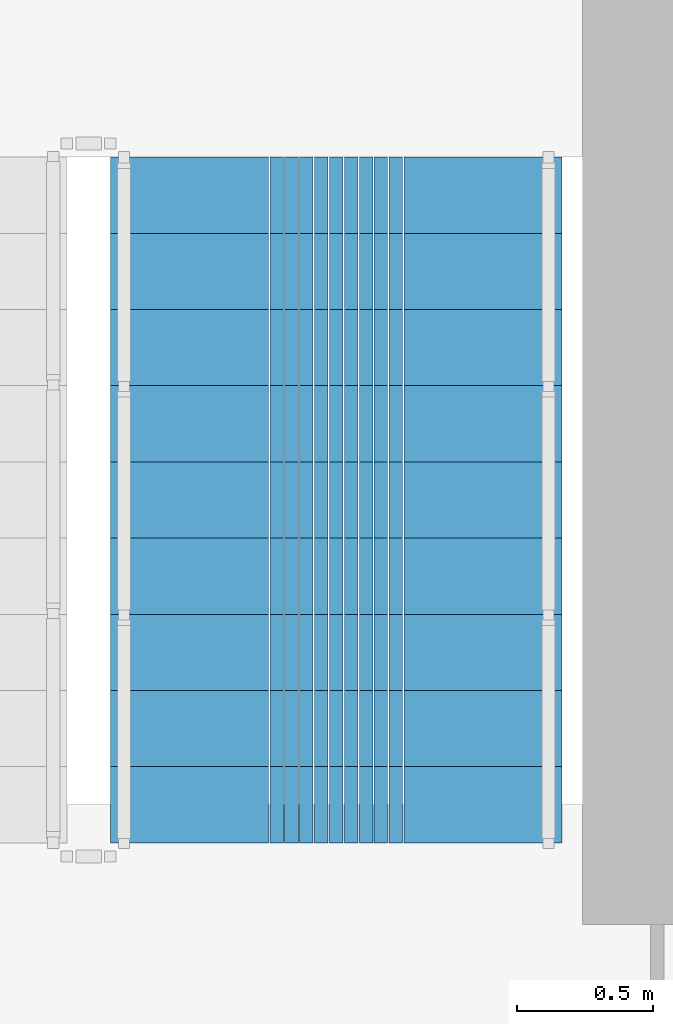
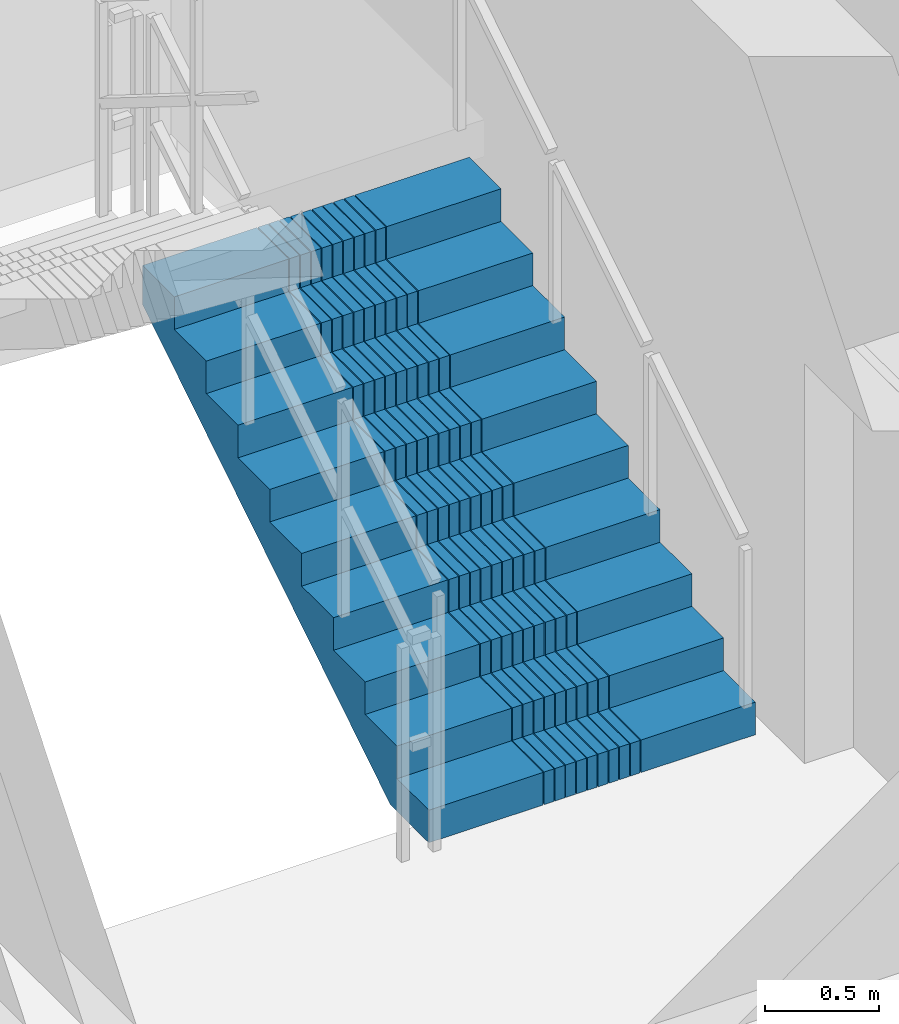
# One storey, part 9 of 17: 1 stair flight, 1 element without a shape of its own.
"""IFC4 building model written with IfcOpenShell, lengths in metres."""

from ifc_helpers import new_model, si_unit, direction, frame, origin, place, context, subcontext, project, spatial, polyline, outline, extrude, material, type_object, element, aggregate, save


model = new_model("IFC4")

# Units and contexts
model_context = context("Model", 3, precision=1e-05, world=origin(), true_north=direction((0.0, 1.0)))
body_context = subcontext(model_context, "Body", "Model", "MODEL_VIEW")
ifc_project = project(units=[si_unit("LENGTHUNIT", "METRE"), si_unit("AREAUNIT", "SQUARE_METRE"), si_unit("VOLUMEUNIT", "CUBIC_METRE"), si_unit("PLANEANGLEUNIT", "RADIAN"), si_unit("MASSUNIT", "GRAM", prefix="KILO")], contexts=[model_context])

# Site, building, storey
site_placement = place(None, origin())
site = spatial("IfcSite", under=ifc_project, at=site_placement, CompositionType="ELEMENT")
building_placement = place(site_placement, origin())
building = spatial("IfcBuilding", under=site, at=building_placement, Name="Saelheon Loggia Tower", CompositionType="ELEMENT")
storey_placement = place(building_placement, frame((0.0, 0.0, 74.35009765625)))
storey = spatial("IfcBuildingStorey", under=building, at=storey_placement, Name="L23", CompositionType="ELEMENT", Elevation=74.35009765625)

# Stair, stair flight
ifc_material = material(Name="Concrete C40/50", Category="concrete")
stair_type = type_object("IfcStairType", Name="Stair_Escape_Core", PredefinedType="HALF_TURN_STAIR", material=ifc_material)
stair_placement = place(storey_placement, origin())
stair = element("IfcStair", 1, at=stair_placement, inside=storey, type_object=stair_type, Name="L23 Special Escape Stair ST2", PredefinedType="HALF_TURN_STAIR")
stair_flight_type = type_object("IfcStairFlightType", Name="StairFlight_Tower_1660", PredefinedType="STRAIGHT", material=ifc_material)
stair_flight_placement = place(storey_placement, frame((43.320068359375, 30.449951171875, 0.0), z_axis=(0.0, 0.0, 1.0), x_axis=(0.0, 1.0, 0.0)))
stair_flight = element("IfcStairFlight", 2, at=stair_flight_placement, type_object=stair_flight_type, Name="ST2 flight 1", NumberOfRisers=10, NumberOfTreads=9, PredefinedType="STRAIGHT", RiserHeight=0.175, TreadLength=0.28, context=body_context, shape_type="SweptSolid", body=[
    extrude(outline(polyline([(0.0, 0.0), (0.0, 0.175048828125), (0.280029296875, 0.175048828125), (0.280029296875, 0.35009765625), (0.56005859375, 0.35009765625), (0.56005859375, 0.52490234375), (0.840087890625, 0.52490234375), (0.840087890625, 0.699951171875), (1.1201171875, 0.699951171875), (1.1201171875, 0.875), (1.39990234375, 0.875), (1.39990234375, 1.050048828125), (1.679931640625, 1.050048828125), (1.679931640625, 1.22509765625), (1.9599609375, 1.22509765625), (1.9599609375, 1.39990234375), (2.239990234375, 1.39990234375), (2.239990234375, 1.574951171875), (2.52001953125, 1.574951171875), (2.52001953125, 1.75), (2.52001953125, 1.36279296875), (0.339599609375, 0.0), (0.0, 0.0)])), frame((0.0, -0.2490234375, 0.0), z_axis=(0.0, -1.0, 0.0), x_axis=(1.0, 0.0, 0.0)), (0.0, 0.0, 1.0), 0.5810546875),
    extrude(outline(polyline([(0.0, 0.0), (0.0, 0.175048828125), (0.280029296875, 0.175048828125), (0.280029296875, 0.35009765625), (0.56005859375, 0.35009765625), (0.56005859375, 0.52490234375), (0.840087890625, 0.52490234375), (0.840087890625, 0.699951171875), (1.1201171875, 0.699951171875), (1.1201171875, 0.875), (1.39990234375, 0.875), (1.39990234375, 1.050048828125), (1.679931640625, 1.050048828125), (1.679931640625, 1.22509765625), (1.9599609375, 1.22509765625), (1.9599609375, 1.39990234375), (2.239990234375, 1.39990234375), (2.239990234375, 1.574951171875), (2.52001953125, 1.574951171875), (2.52001953125, 1.75), (2.52001953125, 1.36279296875), (0.339599609375, 0.0), (0.0, 0.0)])), frame((0.0, -0.194091796875, 0.0), z_axis=(0.0, -1.0, 0.0), x_axis=(1.0, 0.0, 0.0)), (0.0, 0.0, 1.0), 0.0498046875),
    extrude(outline(polyline([(0.0, 0.0), (0.0, 0.175048828125), (0.280029296875, 0.175048828125), (0.280029296875, 0.35009765625), (0.56005859375, 0.35009765625), (0.56005859375, 0.52490234375), (0.840087890625, 0.52490234375), (0.840087890625, 0.699951171875), (1.1201171875, 0.699951171875), (1.1201171875, 0.875), (1.39990234375, 0.875), (1.39990234375, 1.050048828125), (1.679931640625, 1.050048828125), (1.679931640625, 1.22509765625), (1.9599609375, 1.22509765625), (1.9599609375, 1.39990234375), (2.239990234375, 1.39990234375), (2.239990234375, 1.574951171875), (2.52001953125, 1.574951171875), (2.52001953125, 1.75), (2.52001953125, 1.36279296875), (0.339599609375, 0.0), (0.0, 0.0)])), frame((0.0, -0.139404296875, 0.0), z_axis=(0.0, -1.0, 0.0), x_axis=(1.0, 0.0, 0.0)), (0.0, 0.0, 1.0), 0.0498046875),
    extrude(outline(polyline([(0.0, 0.0), (0.0, 0.175048828125), (0.280029296875, 0.175048828125), (0.280029296875, 0.35009765625), (0.56005859375, 0.35009765625), (0.56005859375, 0.52490234375), (0.840087890625, 0.52490234375), (0.840087890625, 0.699951171875), (1.1201171875, 0.699951171875), (1.1201171875, 0.875), (1.39990234375, 0.875), (1.39990234375, 1.050048828125), (1.679931640625, 1.050048828125), (1.679931640625, 1.22509765625), (1.9599609375, 1.22509765625), (1.9599609375, 1.39990234375), (2.239990234375, 1.39990234375), (2.239990234375, 1.574951171875), (2.52001953125, 1.574951171875), (2.52001953125, 1.75), (2.52001953125, 1.36279296875), (0.339599609375, 0.0), (0.0, 0.0)])), frame((0.0, -0.084716796875, 0.0), z_axis=(0.0, -1.0, 0.0), x_axis=(1.0, 0.0, 0.0)), (0.0, 0.0, 1.0), 0.0498046875),
    extrude(outline(polyline([(0.0, 0.0), (0.0, 0.175048828125), (0.280029296875, 0.175048828125), (0.280029296875, 0.35009765625), (0.56005859375, 0.35009765625), (0.56005859375, 0.52490234375), (0.840087890625, 0.52490234375), (0.840087890625, 0.699951171875), (1.1201171875, 0.699951171875), (1.1201171875, 0.875), (1.39990234375, 0.875), (1.39990234375, 1.050048828125), (1.679931640625, 1.050048828125), (1.679931640625, 1.22509765625), (1.9599609375, 1.22509765625), (1.9599609375, 1.39990234375), (2.239990234375, 1.39990234375), (2.239990234375, 1.574951171875), (2.52001953125, 1.574951171875), (2.52001953125, 1.75), (2.52001953125, 1.36279296875), (0.339599609375, 0.0), (0.0, 0.0)])), frame((0.0, -0.02978515625, 0.0), z_axis=(0.0, -1.0, 0.0), x_axis=(1.0, 0.0, 0.0)), (0.0, 0.0, 1.0), 0.0498046875),
    extrude(outline(polyline([(0.0, 0.0), (0.0, 0.175048828125), (0.280029296875, 0.175048828125), (0.280029296875, 0.35009765625), (0.56005859375, 0.35009765625), (0.56005859375, 0.52490234375), (0.840087890625, 0.52490234375), (0.840087890625, 0.699951171875), (1.1201171875, 0.699951171875), (1.1201171875, 0.875), (1.39990234375, 0.875), (1.39990234375, 1.050048828125), (1.679931640625, 1.050048828125), (1.679931640625, 1.22509765625), (1.9599609375, 1.22509765625), (1.9599609375, 1.39990234375), (2.239990234375, 1.39990234375), (2.239990234375, 1.574951171875), (2.52001953125, 1.574951171875), (2.52001953125, 1.75), (2.52001953125, 1.36279296875), (0.339599609375, 0.0), (0.0, 0.0)])), frame((0.0, 0.02490234375, 0.0), z_axis=(0.0, -1.0, 0.0), x_axis=(1.0, 0.0, 0.0)), (0.0, 0.0, 1.0), 0.0498046875),
    extrude(outline(polyline([(0.0, 0.0), (0.0, 0.175048828125), (0.280029296875, 0.175048828125), (0.280029296875, 0.35009765625), (0.56005859375, 0.35009765625), (0.56005859375, 0.52490234375), (0.840087890625, 0.52490234375), (0.840087890625, 0.699951171875), (1.1201171875, 0.699951171875), (1.1201171875, 0.875), (1.39990234375, 0.875), (1.39990234375, 1.050048828125), (1.679931640625, 1.050048828125), (1.679931640625, 1.22509765625), (1.9599609375, 1.22509765625), (1.9599609375, 1.39990234375), (2.239990234375, 1.39990234375), (2.239990234375, 1.574951171875), (2.52001953125, 1.574951171875), (2.52001953125, 1.75), (2.52001953125, 1.36279296875), (0.339599609375, 0.0), (0.0, 0.0)])), frame((0.0, 0.07958984375, 0.0), z_axis=(0.0, -1.0, 0.0), x_axis=(1.0, 0.0, 0.0)), (0.0, 0.0, 1.0), 0.0498046875),
    extrude(outline(polyline([(0.0, 0.0), (0.0, 0.175048828125), (0.280029296875, 0.175048828125), (0.280029296875, 0.35009765625), (0.56005859375, 0.35009765625), (0.56005859375, 0.52490234375), (0.840087890625, 0.52490234375), (0.840087890625, 0.699951171875), (1.1201171875, 0.699951171875), (1.1201171875, 0.875), (1.39990234375, 0.875), (1.39990234375, 1.050048828125), (1.679931640625, 1.050048828125), (1.679931640625, 1.22509765625), (1.9599609375, 1.22509765625), (1.9599609375, 1.39990234375), (2.239990234375, 1.39990234375), (2.239990234375, 1.574951171875), (2.52001953125, 1.574951171875), (2.52001953125, 1.75), (2.52001953125, 1.36279296875), (0.339599609375, 0.0), (0.0, 0.0)])), frame((0.0, 0.134521484375, 0.0), z_axis=(0.0, -1.0, 0.0), x_axis=(1.0, 0.0, 0.0)), (0.0, 0.0, 1.0), 0.0498046875),
    extrude(outline(polyline([(0.0, 0.0), (0.0, 0.175048828125), (0.280029296875, 0.175048828125), (0.280029296875, 0.35009765625), (0.56005859375, 0.35009765625), (0.56005859375, 0.52490234375), (0.840087890625, 0.52490234375), (0.840087890625, 0.699951171875), (1.1201171875, 0.699951171875), (1.1201171875, 0.875), (1.39990234375, 0.875), (1.39990234375, 1.050048828125), (1.679931640625, 1.050048828125), (1.679931640625, 1.22509765625), (1.9599609375, 1.22509765625), (1.9599609375, 1.39990234375), (2.239990234375, 1.39990234375), (2.239990234375, 1.574951171875), (2.52001953125, 1.574951171875), (2.52001953125, 1.75), (2.52001953125, 1.36279296875), (0.339599609375, 0.0), (0.0, 0.0)])), frame((0.0, 0.189208984375, 0.0), z_axis=(0.0, -1.0, 0.0), x_axis=(1.0, 0.0, 0.0)), (0.0, 0.0, 1.0), 0.0498046875),
    extrude(outline(polyline([(0.0, 0.0), (0.0, 0.175048828125), (0.280029296875, 0.175048828125), (0.280029296875, 0.35009765625), (0.56005859375, 0.35009765625), (0.56005859375, 0.52490234375), (0.840087890625, 0.52490234375), (0.840087890625, 0.699951171875), (1.1201171875, 0.699951171875), (1.1201171875, 0.875), (1.39990234375, 0.875), (1.39990234375, 1.050048828125), (1.679931640625, 1.050048828125), (1.679931640625, 1.22509765625), (1.9599609375, 1.22509765625), (1.9599609375, 1.39990234375), (2.239990234375, 1.39990234375), (2.239990234375, 1.574951171875), (2.52001953125, 1.574951171875), (2.52001953125, 1.75), (2.52001953125, 1.36279296875), (0.339599609375, 0.0), (0.0, 0.0)])), frame((0.0, 0.243896484375, 0.0), z_axis=(0.0, -1.0, 0.0), x_axis=(1.0, 0.0, 0.0)), (0.0, 0.0, 1.0), 0.0498046875),
    extrude(outline(polyline([(0.0, 0.0), (0.0, 0.175048828125), (0.280029296875, 0.175048828125), (0.280029296875, 0.35009765625), (0.56005859375, 0.35009765625), (0.56005859375, 0.52490234375), (0.840087890625, 0.52490234375), (0.840087890625, 0.699951171875), (1.1201171875, 0.699951171875), (1.1201171875, 0.875), (1.39990234375, 0.875), (1.39990234375, 1.050048828125), (1.679931640625, 1.050048828125), (1.679931640625, 1.22509765625), (1.9599609375, 1.22509765625), (1.9599609375, 1.39990234375), (2.239990234375, 1.39990234375), (2.239990234375, 1.574951171875), (2.52001953125, 1.574951171875), (2.52001953125, 1.75), (2.52001953125, 1.36279296875), (0.339599609375, 0.0), (0.0, 0.0)])), frame((0.0, 0.830078125, 0.0), z_axis=(0.0, -1.0, 0.0), x_axis=(1.0, 0.0, 0.0)), (0.0, 0.0, 1.0), 0.5810546875),
])
aggregate(stair, [stair_flight])

save(model, "model.ifc")
